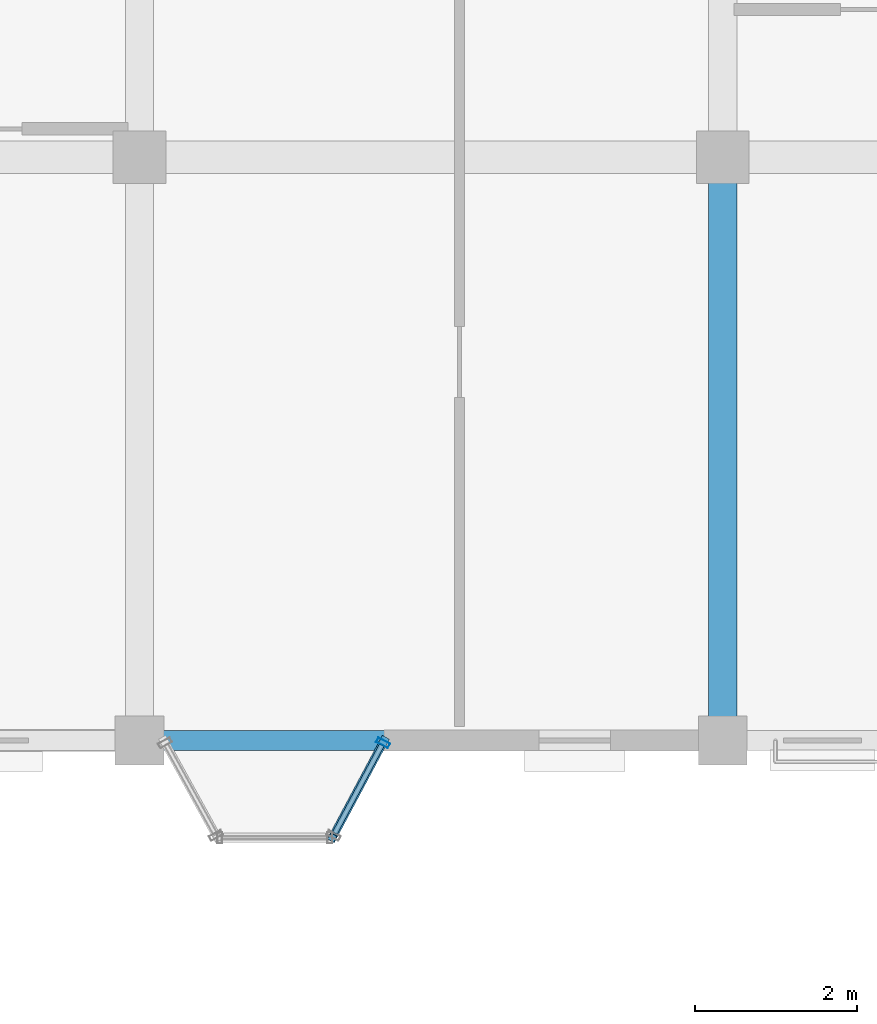
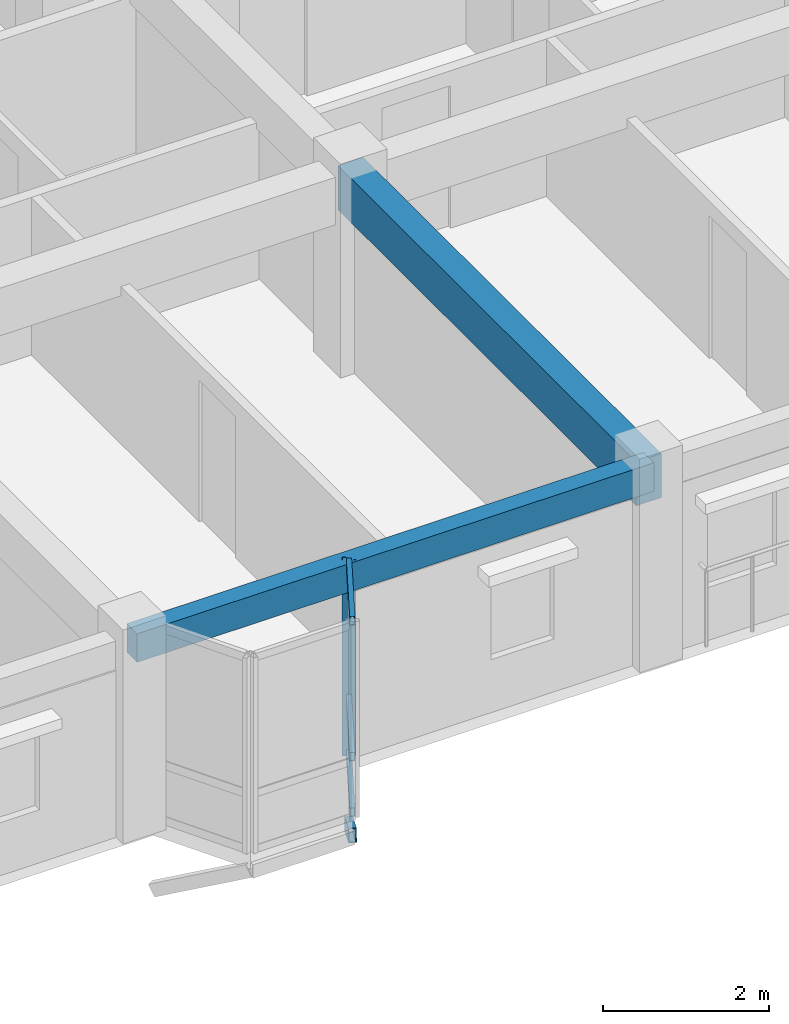
# One storey, part 64 of 124: 5 members, 2 beams, 1 element without a shape of its own.
"""IFC4 building model written with IfcOpenShell, lengths in metres."""

from ifc_helpers import new_model, si_unit, direction, frame, origin, origin_2d, place, context, subcontext, project, spatial, rectangle, hollow_rectangle, extrude, material, layer, layer_set, material_profile, profile_set, type_object, element, aggregate, save


model = new_model("IFC4")

# Units and contexts
model_context = context("Model", 3, precision=1e-05, world=origin(), true_north=direction((0.0, 1.0)))
body_context = subcontext(model_context, "Body", "Model", "MODEL_VIEW")
ifc_project = project(units=[si_unit("LENGTHUNIT", "METRE"), si_unit("AREAUNIT", "SQUARE_METRE"), si_unit("VOLUMEUNIT", "CUBIC_METRE"), si_unit("PLANEANGLEUNIT", "RADIAN"), si_unit("MASSUNIT", "GRAM", prefix="KILO"), si_unit("THERMODYNAMICTEMPERATUREUNIT", "KELVIN"), si_unit("POWERUNIT", "WATT")], contexts=[model_context])

# Site, building, storey
site_placement = place(None, origin())
site = spatial("IfcSite", under=ifc_project, at=site_placement, CompositionType="ELEMENT")
building_placement = place(site_placement, origin())
building = spatial("IfcBuilding", under=site, at=building_placement, Name="Tavuni Mirador Residences", CompositionType="ELEMENT")
storey_placement = place(building_placement, frame((0.0, 0.0, 7.64990234375)))
storey = spatial("IfcBuildingStorey", under=building, at=storey_placement, Name="L02", CompositionType="ELEMENT", Elevation=7.64990234375)

# Beams
ifc_material_1 = material(Name="Precast concrete C40/50", Category="concrete")
ifc_material_profile_1 = material_profile(ifc_material_1, rectangle(XDim=0.35009765625, YDim=0.64990234375, at=origin_2d()), Name="PC 350x650", Category="concrete")
ifc_profile_set_1 = profile_set([ifc_material_profile_1], Name="Precast concrete C40/50")
beam_type_1 = type_object("IfcBeamType", Name="BT-B650", PredefinedType="BEAM", material=ifc_profile_set_1)
beam_1_placement = place(storey_placement, frame((39.60009765625, 144.0, 2.56005859375), z_axis=(0.0, 1.0, 0.0), x_axis=(-1.0, 0.0, 0.0)))
element("IfcBeam", 1, at=beam_1_placement, inside=storey, type_object=beam_type_1, Name="BMY-BLK-C-L02-04-00", PredefinedType="BEAM", context=body_context, shape_type="SweptSolid", body=[
    extrude(rectangle(XDim=0.35009765625, YDim=0.64990234375, at=origin_2d()), origin(), (0.0, 0.0, 1.0), 7.199951171875),
])
ifc_material_profile_2 = material_profile(ifc_material_1, rectangle(XDim=0.25, YDim=0.419921875, at=origin_2d()), Name="PC 250x420", Category="concrete")
ifc_profile_set_2 = profile_set([ifc_material_profile_2], Name="Precast concrete C40/50")
beam_type_2 = type_object("IfcBeamType", Name="BT-SP420", PredefinedType="SPANDREL", material=ifc_profile_set_2)
beam_2_placement = place(storey_placement, frame((32.39990234375, 144.0, 2.675048828125), z_axis=(1.0, 0.0, 0.0), x_axis=(0.0, 1.0, 0.0)))
element("IfcBeam", 2, at=beam_2_placement, inside=storey, type_object=beam_type_2, Name="BMX-BLK-C-L02-03-00", PredefinedType="SPANDREL", context=body_context, shape_type="SweptSolid", body=[
    extrude(rectangle(XDim=0.25, YDim=0.419921875, at=origin_2d()), origin(), (0.0, 0.0, 1.0), 7.2001953125),
])

# Curtain wall, members
ifc_material_2 = material(Name="Anodised aluminium", Category="aluminium")
ifc_layer = layer(ifc_material_2, 0.14990234375, Name="Anodised aluminium", Category="aluminium")
ifc_layer_set = layer_set([ifc_layer], Name="Anodised aluminium")
curtain_wall_type = type_object("IfcCurtainWallType", Name="CWT-MIR-B", PredefinedType="NOTDEFINED", material=ifc_layer_set)
curtain_wall_placement = place(storey_placement, origin())
curtain_wall = element("IfcCurtainWall", 3, at=curtain_wall_placement, inside=storey, type_object=curtain_wall_type, Name="CW-MIR-C-S2-L02-M2", PredefinedType="NOTDEFINED")
ifc_material_profile_3 = material_profile(ifc_material_2, hollow_rectangle(XDim=0.06494140625, YDim=0.1650390625, WallThickness=0.00439453125, at=origin_2d()), Name="ALU 65x165x4.5", Category="aluminium")
ifc_profile_set_3 = profile_set([ifc_material_profile_3], Name="Anodised aluminium")
member_type_1 = type_object("IfcMemberType", Name="CWM-165", PredefinedType="MULLION", material=ifc_profile_set_3)
member_1_placement = place(storey_placement, frame((35.40478515625, 143.971435546875, 0.0), z_axis=(0.0, 0.0, 1.0), x_axis=(0.470588235296, 0.882352941175, 0.0)))
member_1 = element("IfcMember", 4, at=member_1_placement, type_object=member_type_1, Name="CW-02 mullion 2", PredefinedType="MULLION", context=body_context, shape_type="SweptSolid", body=[
    extrude(hollow_rectangle(XDim=0.06494140625, YDim=0.1650390625, WallThickness=0.00439453125, at=origin_2d()), origin(), (0.0, 0.0, 1.0), 2.885009765625),
])
ifc_material_profile_4 = material_profile(ifc_material_2, hollow_rectangle(XDim=0.06494140625, YDim=0.125, WallThickness=0.00439453125, at=origin_2d()), Name="ALU 65x125x4.5", Category="aluminium")
ifc_profile_set_4 = profile_set([ifc_material_profile_4], Name="Anodised aluminium")
member_type_2 = type_object("IfcMemberType", Name="CWT-125", PredefinedType="USERDEFINED", material=ifc_profile_set_4)
member_2_placement = place(storey_placement, frame((34.810546875, 142.857421875, 0.03271484375), z_axis=(0.470639747922, 0.882325465843, 0.0), x_axis=(-0.882325465843, 0.470639747922, 0.0)))
member_2 = element("IfcMember", 5, at=member_2_placement, type_object=member_type_2, Name="CW-02 transom 1.1", ObjectType="TRANSOM", PredefinedType="USERDEFINED", context=body_context, shape_type="SweptSolid", body=[
    extrude(hollow_rectangle(XDim=0.06494140625, YDim=0.125, WallThickness=0.00439453125, at=origin_2d()), origin(), (0.0, 0.0, 1.0), 1.22998046875),
])
member_3_placement = place(storey_placement, frame((34.810546875, 142.857421875, 0.85009765625), z_axis=(0.470639747922, 0.882325465843, 0.0), x_axis=(-0.882325465843, 0.470639747922, 0.0)))
member_3 = element("IfcMember", 6, at=member_3_placement, type_object=member_type_2, Name="CW-02 transom 1.2", ObjectType="TRANSOM", PredefinedType="USERDEFINED", context=body_context, shape_type="SweptSolid", body=[
    extrude(hollow_rectangle(XDim=0.06494140625, YDim=0.125, WallThickness=0.00439453125, at=origin_2d()), origin(), (0.0, 0.0, 1.0), 1.22998046875),
])
member_4_placement = place(storey_placement, frame((34.810546875, 142.857421875, 2.8525390625), z_axis=(0.470639747922, 0.882325465843, 0.0), x_axis=(-0.882325465843, 0.470639747922, 0.0)))
member_4 = element("IfcMember", 7, at=member_4_placement, type_object=member_type_2, Name="CW-02 transom 1.3", ObjectType="TRANSOM", PredefinedType="USERDEFINED", context=body_context, shape_type="SweptSolid", body=[
    extrude(hollow_rectangle(XDim=0.06494140625, YDim=0.125, WallThickness=0.00439453125, at=origin_2d()), origin(), (0.0, 0.0, 1.0), 1.22998046875),
])
aggregate(curtain_wall, [member_1, member_2, member_3, member_4])

# Member
ifc_material_3 = material(Name="Structural steel S355", Category="steel")
ifc_material_profile_5 = material_profile(ifc_material_3, hollow_rectangle(XDim=0.10009765625, YDim=0.179931640625, WallThickness=0.008056640625, at=origin_2d()), Name="RHS 180x100x8.0", Category="steel")
ifc_profile_set_5 = profile_set([ifc_material_profile_5], Name="Structural steel S355")
member_type_3 = type_object("IfcMemberType", Name="MT-BR-RHS180", PredefinedType="BRACE", material=ifc_profile_set_5)
member_5_placement = place(storey_placement, frame((35.419921875, 144.0, -1.0498046875), z_axis=(-0.407530885562, -0.764217589674, 0.499890040855), x_axis=(0.882377788047, -0.47054164445, 0.0)))
element("IfcMember", 8, at=member_5_placement, inside=storey, type_object=member_type_3, Name="MBRK-MIR-C-S2-L02-2", PredefinedType="BRACE", context=body_context, shape_type="SweptSolid", body=[
    extrude(hollow_rectangle(XDim=0.10009765625, YDim=0.179931640625, WallThickness=0.008056640625, at=origin_2d()), origin(), (0.0, 0.0, 1.0), 1.570068359375),
])

save(model, "model.ifc")
